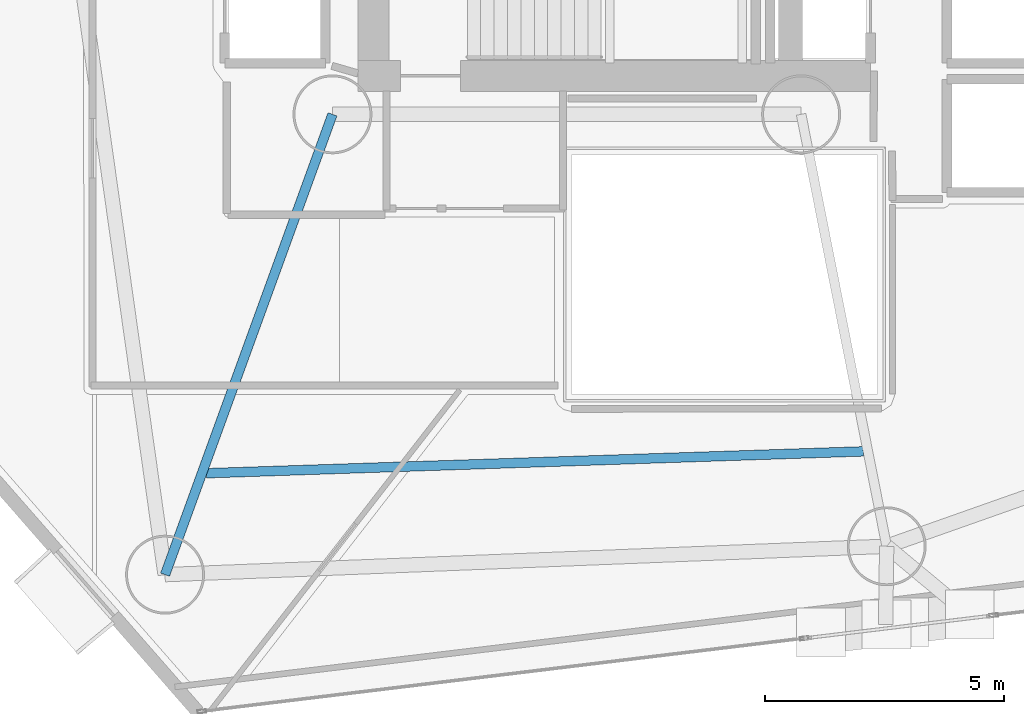
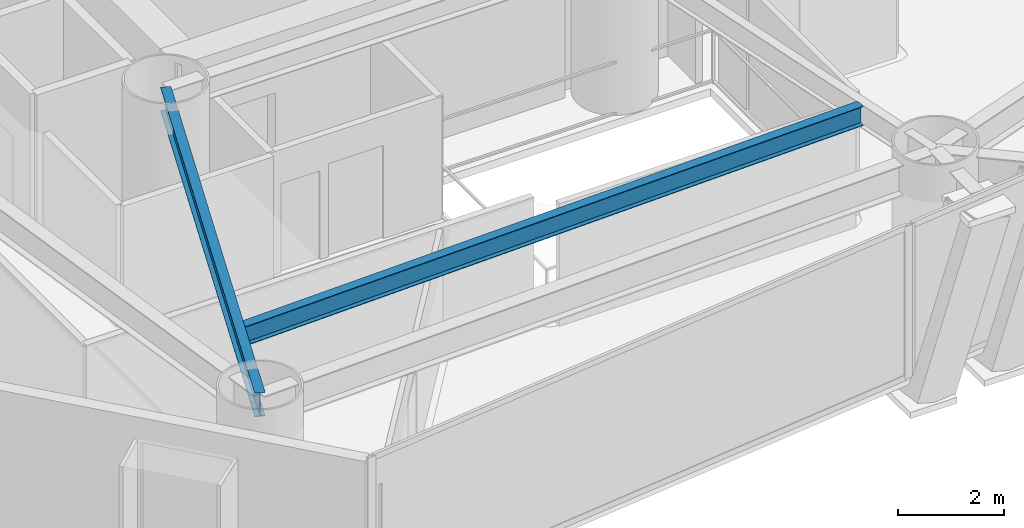
# One storey, part 3 of 24: 2 beams.
"""IFC4 building model written with IfcOpenShell, lengths in metres."""

from ifc_helpers import new_model, si_unit, direction, frame, origin, origin_2d, place, context, subcontext, project, spatial, i_section, extrude, material, material_profile, profile_set, type_object, element, save


model = new_model("IFC4")

# Units and contexts
model_context = context("Model", 3, precision=1e-05, world=origin(), true_north=direction((0.0, 1.0)))
body_context = subcontext(model_context, "Body", "Model", "MODEL_VIEW")
ifc_project = project(units=[si_unit("LENGTHUNIT", "METRE"), si_unit("AREAUNIT", "SQUARE_METRE"), si_unit("VOLUMEUNIT", "CUBIC_METRE"), si_unit("PLANEANGLEUNIT", "RADIAN"), si_unit("MASSUNIT", "GRAM", prefix="KILO")], contexts=[model_context])

# Site, building, storey
site_placement = place(None, origin())
site = spatial("IfcSite", under=ifc_project, at=site_placement, CompositionType="ELEMENT")
building_placement = place(site_placement, origin())
building = spatial("IfcBuilding", under=site, at=building_placement, Name="Qianvela Tower", CompositionType="ELEMENT")
storey_placement = place(building_placement, frame((0.0, 0.0, 71.0)))
storey = spatial("IfcBuildingStorey", under=building, at=storey_placement, Name="L17", CompositionType="ELEMENT", Elevation=71.0)

# Beams
ifc_material_1 = material(Name="Steel Q355B", Category="steel")
ifc_material_profile_1 = material_profile(ifc_material_1, i_section(OverallWidth=0.199951171875, OverallDepth=0.449951171875, WebThickness=0.009033203125, FlangeThickness=0.013916015625, at=origin_2d()), Name="HN450x200x9x14")
ifc_profile_set_1 = profile_set([ifc_material_profile_1], Name="Steel Q355B")
beam_type_1 = type_object("IfcBeamType", Name="BM-HN450-JOIST", PredefinedType="JOIST", material=ifc_profile_set_1)
beam_1_placement = place(storey_placement, frame((25.9658203125, 16.345703125, 3.29296875), z_axis=(0.999447329793, 0.033242066273, 0.0), x_axis=(-0.033242066273, 0.999447329793, 0.0)))
element("IfcBeam", 1, at=beam_1_placement, inside=storey, type_object=beam_type_1, Name="L17 Secondary Composite Floor Joist 5.3", PredefinedType="JOIST", context=body_context, shape_type="SweptSolid", body=[
    extrude(i_section(OverallWidth=0.199951171875, OverallDepth=0.449951171875, WebThickness=0.009033203125, FlangeThickness=0.013916015625, at=origin_2d()), origin(), (0.0, 0.0, 1.0), 13.7412109375),
])
ifc_material_2 = material(Name="Steel Q355B", Category="steel")
ifc_material_profile_2 = material_profile(ifc_material_2, i_section(OverallWidth=0.199951171875, OverallDepth=0.550048828125, WebThickness=0.010009765625, FlangeThickness=0.01611328125, at=origin_2d()), Name="HN550x200x10x16")
ifc_profile_set_2 = profile_set([ifc_material_profile_2], Name="Steel Q355B")
beam_type_2 = type_object("IfcBeamType", Name="BM-HN550-GIRD", PredefinedType="BEAM", material=ifc_profile_set_2)
beam_2_placement = place(storey_placement, frame((28.60009765625, 23.85009765625, 3.242919921875), z_axis=(-0.341743063087, -0.939793423488, 0.0), x_axis=(0.939793423488, -0.341743063087, 0.0)))
element("IfcBeam", 2, at=beam_2_placement, inside=storey, type_object=beam_type_2, Name="L17 Radial Primary Floor Girder 5", PredefinedType="BEAM", context=body_context, shape_type="SweptSolid", body=[
    extrude(i_section(OverallWidth=0.199951171875, OverallDepth=0.550048828125, WebThickness=0.010009765625, FlangeThickness=0.01611328125, at=origin_2d()), origin(), (0.0, 0.0, 1.0), 10.24169921875),
])

save(model, "model.ifc")
